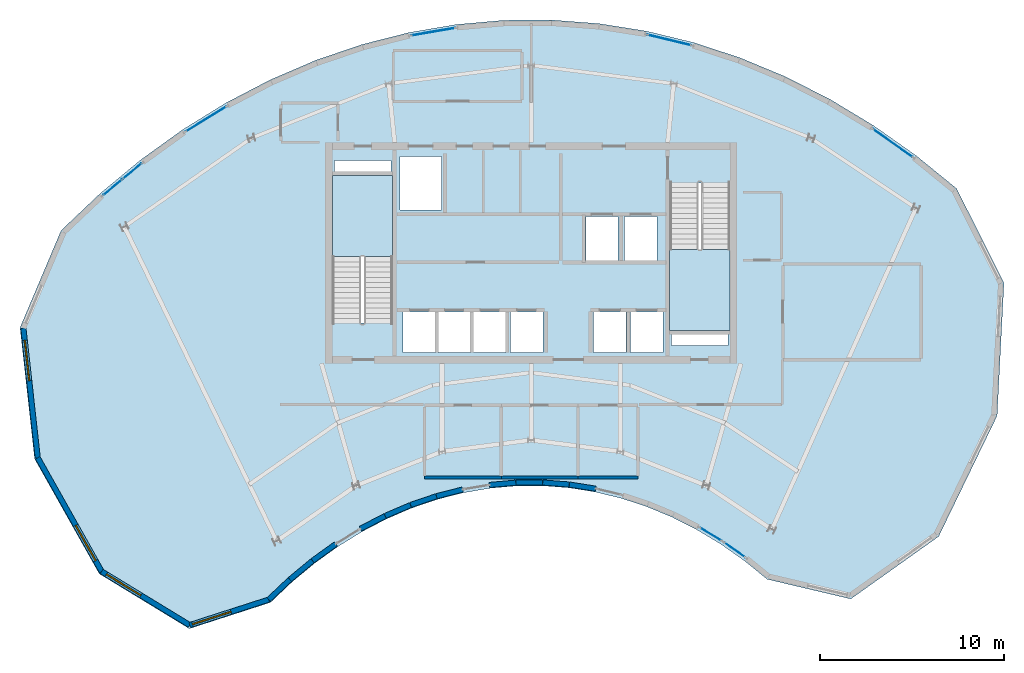
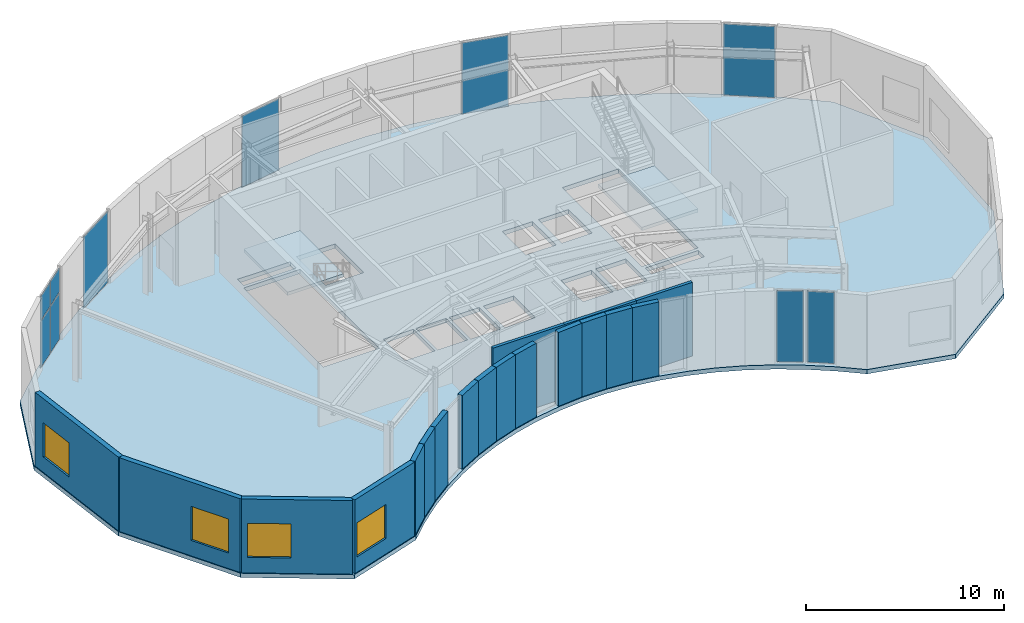
# One storey, part 5 of 10: 18 walls, 10 plates, 4 windows, 3 slabs, 4 openings, 9 elements without a shape of their own.
"""IFC4 building model written with IfcOpenShell, lengths in metres."""

import ifcopenshell
import ifcopenshell.guid

model = None  # the IFC model being written
_history = None  # IfcOwnerHistory: only IFC2X3 demands one
_inside = {}  # id of a spatial element -> (the spatial element, [elements in it])
_under = {}  # id of a project, library or spatial element -> (it, [spatial elements below it])
_declared = {}  # id of a project -> (the project, [libraries it declares])
_typed = {}  # id of a type object -> (the type object, [elements of that type])
_made_of = {}  # id of a material, layer set ... -> (it, [elements and type objects made of it])


def new_model(schema):
    """Start an empty IFC model of exactly this schema.

    Asked for "IFC4X3", IfcOpenShell would pick the latest addendum, in which some entities
    have other attributes; the version numbers below select the first issue.
    IFC2X3 requires an IfcOwnerHistory on every rooted entity: one is made here for all.
    """
    global model, _history
    if schema == "IFC4X3":
        model = ifcopenshell.file(schema_version=(4, 3, 0, 0))
    else:
        model = ifcopenshell.file(schema=schema)
    _inside.clear()
    _under.clear()
    _declared.clear()
    _typed.clear()
    _made_of.clear()
    _history = None
    if model.schema == "IFC2X3":
        org = make("IfcOrganization", Name="unknown")
        user = make(
            "IfcPersonAndOrganization",
            ThePerson=make("IfcPerson", FamilyName="unknown"),
            TheOrganization=org,
        )
        app = make(
            "IfcApplication",
            ApplicationDeveloper=org,
            Version="unknown",
            ApplicationFullName="unknown",
            ApplicationIdentifier="unknown",
        )
        _history = make(
            "IfcOwnerHistory",
            OwningUser=user,
            OwningApplication=app,
            ChangeAction="ADDED",
            CreationDate=0,
        )
    return model


def make(cls, **values):
    """One entity of the class cls with the attributes given. An attribute that is None is left unset."""
    return model.create_entity(
        cls, **{name: value for name, value in values.items() if value is not None}
    )


def rooted(cls, **values):
    """An entity with a GlobalId (a new one), such as an element, a storey or a relation."""
    return make(cls, GlobalId=ifcopenshell.guid.new(), OwnerHistory=_history, **values)


def si_unit(unit_type, name, prefix=None):
    """IfcSIUnit, for example si_unit("LENGTHUNIT", "METRE", prefix="MILLI")."""
    return make("IfcSIUnit", UnitType=unit_type, Prefix=prefix, Name=name)


def assignment(units):
    """IfcUnitAssignment: the units of a project."""
    return None if units is None else make("IfcUnitAssignment", Units=units)


def point(xyz):
    """IfcCartesianPoint."""
    return None if xyz is None else make("IfcCartesianPoint", Coordinates=xyz)


def direction(xyz):
    """IfcDirection."""
    return None if xyz is None else make("IfcDirection", DirectionRatios=xyz)


def frame(location, z_axis=None, x_axis=None):
    """IfcAxis2Placement3D, a coordinate frame: its origin and axes. An axis left out is left unset."""
    return make(
        "IfcAxis2Placement3D",
        Location=point(location),
        Axis=direction(z_axis),
        RefDirection=direction(x_axis),
    )


def frame_2d(location, x_axis=None):
    """IfcAxis2Placement2D, a coordinate frame in the plane: its origin and x axis."""
    return make(
        "IfcAxis2Placement2D", Location=point(location), RefDirection=direction(x_axis)
    )


def origin():
    """The frame at (0, 0, 0) with its axes left unset."""
    return frame((0.0, 0.0, 0.0))


def origin_2d():
    """The frame at (0, 0) in the plane with its x axis left unset."""
    return frame_2d((0.0, 0.0))


def place(relative_to, where):
    """IfcLocalPlacement: puts the frame where relative to a parent placement (None: the world)."""
    return make(
        "IfcLocalPlacement", PlacementRelTo=relative_to, RelativePlacement=where
    )


def context(
    kind, dimensions, precision=None, world=None, true_north=None, identifier=None
):
    """IfcGeometricRepresentationContext, for example the 3D "Model" context."""
    return make(
        "IfcGeometricRepresentationContext",
        ContextIdentifier=identifier,
        ContextType=kind,
        CoordinateSpaceDimension=dimensions,
        Precision=precision,
        WorldCoordinateSystem=world,
        TrueNorth=true_north,
    )


def subcontext(parent, identifier, kind, view, scale=None):
    """IfcGeometricRepresentationSubContext, for example "Body" below "Model"."""
    return make(
        "IfcGeometricRepresentationSubContext",
        ContextIdentifier=identifier,
        ContextType=kind,
        ParentContext=parent,
        TargetScale=scale,
        TargetView=view,
    )


def project(units=None, contexts=None):
    """IfcProject with its units and contexts."""
    return rooted(
        "IfcProject",
        Name="project",
        RepresentationContexts=contexts,
        UnitsInContext=assignment(units),
    )


def spatial(cls, under=None, at=None, **own):
    """A site, building, storey or space (cls), placed at a placement, below another one or the project."""
    s = rooted(cls, ObjectPlacement=at, **own)
    if under is not None:
        _under.setdefault(under.id(), (under, []))[1].append(s)
    return s


def polyline(points):
    """IfcPolyline through the points."""
    return make("IfcPolyline", Points=[point(p) for p in points])


def profile(cls, at=None, kind="AREA", **sizes):
    """A parametric profile (cls). Its sizes go by their IFC names, for example OverallWidth=200.0."""
    return make(cls, ProfileType=kind, Position=at, **sizes)


def rectangle(**sizes):
    """IfcRectangleProfileDef."""
    return profile("IfcRectangleProfileDef", **sizes)


def outline(outer, holes=None, kind="AREA"):
    """IfcArbitraryClosedProfileDef: a profile drawn as a closed curve; with holes, ...WithVoids."""
    if holes is None:
        return make("IfcArbitraryClosedProfileDef", ProfileType=kind, OuterCurve=outer)
    return make(
        "IfcArbitraryProfileDefWithVoids",
        ProfileType=kind,
        OuterCurve=outer,
        InnerCurves=holes,
    )


def extrude(swept, where, along, depth):
    """IfcExtrudedAreaSolid: the profile swept, set in the frame where, extruded along a direction by depth."""
    return make(
        "IfcExtrudedAreaSolid",
        SweptArea=swept,
        Position=where,
        ExtrudedDirection=direction(along),
        Depth=depth,
    )


def shape(context_of_items, identifier, shape_type, items):
    """IfcShapeRepresentation: the items that make up one representation, for example the "Body"."""
    return make(
        "IfcShapeRepresentation",
        ContextOfItems=context_of_items,
        RepresentationIdentifier=identifier,
        RepresentationType=shape_type,
        Items=items,
    )


def source(mapping_origin, context_of_items, identifier, shape_type, items):
    """IfcRepresentationMap: a shape defined once, which mapped items show again and again."""
    return make(
        "IfcRepresentationMap",
        MappingOrigin=mapping_origin,
        MappedRepresentation=shape(context_of_items, identifier, shape_type, items),
    )


def transform(
    local_origin,
    x_axis=None,
    y_axis=None,
    z_axis=None,
    scale=None,
    scale2=None,
    scale3=None,
    uniform=True,
):
    """IfcCartesianTransformationOperator3D, or its non-uniform kind. x_axis, y_axis, z_axis: its Axis1, 2, 3."""
    if uniform:
        return make(
            "IfcCartesianTransformationOperator3D",
            Axis1=direction(x_axis),
            Axis2=direction(y_axis),
            LocalOrigin=point(local_origin),
            Scale=scale,
            Axis3=direction(z_axis),
        )
    return make(
        "IfcCartesianTransformationOperator3DnonUniform",
        Axis1=direction(x_axis),
        Axis2=direction(y_axis),
        LocalOrigin=point(local_origin),
        Scale=scale,
        Axis3=direction(z_axis),
        Scale2=scale2,
        Scale3=scale3,
    )


def mapped(mapping_source, mapping_target):
    """IfcMappedItem: shows the shape of a source again, moved by a transform."""
    return make(
        "IfcMappedItem", MappingSource=mapping_source, MappingTarget=mapping_target
    )


def material(Name=None, Category=None):
    """IfcMaterial."""
    return make("IfcMaterial", Name=Name, Category=Category)


def layer(
    of_material, thickness, ventilated=None, Name=None, Category=None, Priority=None
):
    """IfcMaterialLayer: one layer of a wall or slab, of a material (None: an air gap)."""
    return make(
        "IfcMaterialLayer",
        Material=of_material,
        LayerThickness=thickness,
        IsVentilated=ventilated,
        Name=Name,
        Category=Category,
        Priority=Priority,
    )


def layer_set(layers, Name=None):
    """IfcMaterialLayerSet."""
    return make("IfcMaterialLayerSet", MaterialLayers=layers, LayerSetName=Name)


def made_of(thing, what):
    """Note that an element or type object is made of a material, layer set ...; save() writes the relation."""
    if what is not None:
        _made_of.setdefault(what.id(), (what, []))[1].append(thing)
    return thing


def type_object(cls, material=None, **own):
    """A type object (cls), such as IfcWallType, which elements share."""
    return made_of(rooted(cls, **own), material)


def type_shapes(of_type, sources):
    """Give a type object the sources (RepresentationMaps) that its elements show as mapped items."""
    of_type.RepresentationMaps = sources


def element(
    cls,
    number,
    at=None,
    inside=None,
    cuts=None,
    type_object=None,
    material=None,
    context=None,
    identifier="Body",
    shape_type=None,
    held_by="IfcProductDefinitionShape",
    body=None,
    shapes=None,
    **own,
):
    """One element of the class cls, such as IfcWall. Its Tag is "e" and its number.

    at: its placement. inside: the storey or other place that contains it. cuts: it is an
    opening in that element (IfcRelVoidsElement). A single representation is given by context,
    identifier, shape_type and body (its items); several are given by shapes. held_by: the class
    of the entity that holds the representations. save() writes the other relations.
    """
    e = rooted(cls, Tag="e%d" % number, ObjectPlacement=at, **own)
    if body is not None:
        shapes = [shape(context, identifier, shape_type, body)]
    if shapes is not None:
        e.Representation = make(held_by, Representations=shapes)
    if inside is not None:
        _inside.setdefault(inside.id(), (inside, []))[1].append(e)
    if cuts is not None:
        rooted(
            "IfcRelVoidsElement", RelatingBuildingElement=cuts, RelatedOpeningElement=e
        )
    if type_object is not None:
        _typed.setdefault(type_object.id(), (type_object, []))[1].append(e)
    return made_of(e, material)


def fill(opening, filler):
    """IfcRelFillsElement: the door or window that sits in an opening."""
    return rooted(
        "IfcRelFillsElement",
        RelatingOpeningElement=opening,
        RelatedBuildingElement=filler,
    )


def aggregate(whole, parts):
    """IfcRelAggregates: a whole, such as a stair, and the parts it consists of."""
    return rooted("IfcRelAggregates", RelatingObject=whole, RelatedObjects=parts)


def save(model, path):
    """Write the relations noted so far, then the file.

    IfcRelAggregates (storeys below a building ...), IfcRelContainedInSpatialStructure (elements
    in a storey), IfcRelDefinesByType, IfcRelAssociatesMaterial and IfcRelDeclares: one each for
    every whole, place, type object, material and project.
    """
    for whole, parts in _under.values():
        aggregate(whole, parts)
    for where, things in _inside.values():
        rooted(
            "IfcRelContainedInSpatialStructure",
            RelatedElements=things,
            RelatingStructure=where,
        )
    for kind, things in _typed.values():
        rooted("IfcRelDefinesByType", RelatedObjects=things, RelatingType=kind)
    for what, things in _made_of.values():
        rooted("IfcRelAssociatesMaterial", RelatedObjects=things, RelatingMaterial=what)
    for by, libraries in _declared.values():
        rooted("IfcRelDeclares", RelatingContext=by, RelatedDefinitions=libraries)
    model.write(path)


model = new_model("IFC4")

# Units and contexts
model_context = context("Model", 3, precision=1e-05, world=origin(), true_north=direction((0.0, 1.0)))
body_context = subcontext(model_context, "Body", "Model", "MODEL_VIEW")
ifc_project = project(units=[si_unit("LENGTHUNIT", "METRE"), si_unit("AREAUNIT", "SQUARE_METRE"), si_unit("VOLUMEUNIT", "CUBIC_METRE"), si_unit("PLANEANGLEUNIT", "RADIAN"), si_unit("MASSUNIT", "GRAM", prefix="KILO")], contexts=[model_context])

# Site, building, storey
site_placement = place(None, origin())
site = spatial("IfcSite", under=ifc_project, at=site_placement, CompositionType="ELEMENT")
building_placement = place(site_placement, origin())
building = spatial("IfcBuilding", under=site, at=building_placement, Name="Breltana Convention Tower", CompositionType="ELEMENT")
storey_placement = place(building_placement, frame((0.0, 0.0, 303.0)))
storey = spatial("IfcBuildingStorey", under=building, at=storey_placement, Name="L74", CompositionType="ELEMENT", Elevation=303.0)

# Stair, slab
ifc_material_1 = material(Name="Concrete C40/50", Category="concrete")
stair_type = type_object("IfcStairType", Name="ST-DOG-1560-R171", PredefinedType="HALF_TURN_STAIR", material=ifc_material_1)
stair_1_placement = place(storey_placement, origin())
stair_1 = element("IfcStair", 1, at=stair_1_placement, inside=storey, type_object=stair_type, Name="L74 Protected Core Exit Stair ST-1", PredefinedType="HALF_TURN_STAIR")
ifc_layer_1 = layer(ifc_material_1, 0.199951171875, Name="Concrete C40/50")
ifc_layer_set_1 = layer_set([ifc_layer_1], Name="Concrete C40/50")
slab_type_1 = type_object("IfcSlabType", Name="SL-STAIR-LANDING-200", PredefinedType="LANDING", material=ifc_layer_set_1)
slab_1_placement = place(storey_placement, frame((0.0, 0.0, 2.199951171875)))
slab_1 = element("IfcSlab", 2, at=slab_1_placement, type_object=slab_type_1, Name="ST-1 landing 1", PredefinedType="LANDING", context=body_context, shape_type="SweptSolid", body=[
    extrude(outline(polyline([(40.469970703125, 66.0), (40.469970703125, 70.39990234375), (37.199951171875, 70.39990234375), (37.199951171875, 66.0), (40.469970703125, 66.0)])), origin(), (0.0, 0.0, 1.0), 0.199951171875),
])
aggregate(stair_1, [slab_1])

stair_2_placement = place(storey_placement, origin())
stair_2 = element("IfcStair", 3, at=stair_2_placement, inside=storey, type_object=stair_type, Name="L74 Protected Core Exit Stair ST-2", PredefinedType="HALF_TURN_STAIR")
slab_2_placement = place(storey_placement, frame((0.0, 0.0, 2.199951171875)))
slab_2 = element("IfcSlab", 4, at=slab_2_placement, type_object=slab_type_1, Name="ST-2 landing 1", PredefinedType="LANDING", context=body_context, shape_type="SweptSolid", body=[
    extrude(outline(polyline([(55.530029296875, 66.39990234375), (55.530029296875, 62.0), (58.800048828125, 62.0), (58.800048828125, 66.39990234375), (55.530029296875, 66.39990234375)])), origin(), (0.0, 0.0, 1.0), 0.199951171875),
])
aggregate(stair_2, [slab_2])

# Slab
ifc_layer_2 = layer(ifc_material_1, 0.260009765625, Name="Concrete C40/50")
ifc_layer_set_2 = layer_set([ifc_layer_2], Name="Concrete C40/50")
slab_type_2 = type_object("IfcSlabType", Name="SL-UPP-260", PredefinedType="FLOOR", material=ifc_layer_set_2)
slab_3_placement = place(storey_placement, frame((0.0, 0.0, -0.260009765625)))
element("IfcSlab", 5, at=slab_3_placement, inside=storey, type_object=slab_type_2, Name="L74 Suspended Structural Floor Slab", PredefinedType="FLOOR", context=body_context, shape_type="SweptSolid", body=[
    extrude(outline(polyline([(71.119873046875, 69.7060546875), (68.9033203125, 71.50830078125), (66.60888671875, 73.126220703125), (64.244873046875, 74.552978515625), (61.8203125, 75.783935546875), (59.34423828125, 76.814208984375), (56.825927734375, 77.639892578125), (54.2744140625, 78.25830078125), (51.69970703125, 78.66650390625), (49.111083984375, 78.863525390625), (46.5185546875, 78.848388671875), (43.931396484375, 78.62109375), (41.359375, 78.1826171875), (38.81201171875, 77.53466796875), (36.29931640625, 76.679443359375), (33.829833984375, 75.620361328125), (31.41357421875, 74.361083984375), (29.058837890625, 72.906494140625), (26.77490234375, 71.26220703125), (24.5703125, 69.433837890625), (22.452880859375, 67.4287109375), (20.216796875, 62.142578125), (21.007080078125, 55.0126953125), (24.52197265625, 48.762451171875), (29.418701171875, 45.779296875), (33.827392578125, 47.202392578125), (35.001953125, 48.31494140625), (36.22509765625, 49.3291015625), (37.491943359375, 50.241455078125), (38.79833984375, 51.04833984375), (40.138916015625, 51.746826171875), (41.5087890625, 52.33447265625), (42.90283203125, 52.80908203125), (44.31591796875, 53.16845703125), (45.742919921875, 53.41162109375), (47.177978515625, 53.537841796875), (48.616455078125, 53.546142578125), (50.052490234375, 53.43701171875), (51.48095703125, 53.21044921875), (52.896240234375, 52.867431640625), (54.29345703125, 52.4091796875), (55.6669921875, 51.837646484375), (57.01220703125, 51.15478515625), (58.323486328125, 50.36328125), (59.5966796875, 49.4658203125), (60.826171875, 48.4658203125), (65.370849609375, 47.394775390625), (70.1455078125, 50.789306640625), (73.326416015625, 57.352783203125), (73.698486328125, 64.57861328125), (71.119873046875, 69.7060546875)]), holes=[polyline([(37.199951171875, 62.385009765625), (40.469970703125, 62.385009765625), (40.469970703125, 70.39990234375), (37.199951171875, 70.39990234375), (37.199951171875, 62.385009765625)]), polyline([(55.530029296875, 62.0), (58.800048828125, 62.0), (58.800048828125, 70.014892578125), (55.530029296875, 70.014892578125), (55.530029296875, 62.0)]), polyline([(41.0400390625, 60.800048828125), (42.800048828125, 60.800048828125), (42.800048828125, 62.97998046875), (41.0400390625, 62.97998046875), (41.0400390625, 60.800048828125)]), polyline([(42.93994140625, 60.800048828125), (44.699951171875, 60.800048828125), (44.699951171875, 62.97998046875), (42.93994140625, 62.97998046875), (42.93994140625, 60.800048828125)]), polyline([(44.8701171875, 60.800048828125), (46.6298828125, 60.800048828125), (46.6298828125, 62.97998046875), (44.8701171875, 62.97998046875), (44.8701171875, 60.800048828125)]), polyline([(46.8701171875, 60.800048828125), (48.6298828125, 60.800048828125), (48.6298828125, 62.97998046875), (46.8701171875, 62.97998046875), (46.8701171875, 60.800048828125)]), polyline([(51.39990234375, 60.800048828125), (53.159912109375, 60.800048828125), (53.159912109375, 62.97998046875), (51.39990234375, 62.97998046875), (51.39990234375, 60.800048828125)]), polyline([(53.39990234375, 60.800048828125), (55.159912109375, 60.800048828125), (55.159912109375, 62.97998046875), (53.39990234375, 62.97998046875), (53.39990234375, 60.800048828125)]), polyline([(50.969970703125, 65.800048828125), (52.72998046875, 65.800048828125), (52.72998046875, 68.179931640625), (50.969970703125, 68.179931640625), (50.969970703125, 65.800048828125)]), polyline([(53.070068359375, 65.800048828125), (54.830078125, 65.800048828125), (54.830078125, 68.179931640625), (53.070068359375, 68.179931640625), (53.070068359375, 65.800048828125)]), polyline([(40.8798828125, 68.550048828125), (43.1201171875, 68.550048828125), (43.1201171875, 71.449951171875), (40.8798828125, 71.449951171875), (40.8798828125, 68.550048828125)]), polyline([(37.300048828125, 70.60009765625), (40.3798828125, 70.60009765625), (40.3798828125, 71.219970703125), (37.300048828125, 71.219970703125), (37.300048828125, 70.60009765625)]), polyline([(55.6201171875, 61.179931640625), (58.699951171875, 61.179931640625), (58.699951171875, 61.800048828125), (55.6201171875, 61.800048828125), (55.6201171875, 61.179931640625)])]), origin(), (0.0, 0.0, 1.0), 0.260009765625),
])

# Curtain wall, plate
ifc_material_2 = material(Name="Aluminium Anodised Bronze Frame", Category="aluminium")
ifc_layer_3 = layer(ifc_material_2, 0.18994140625, Name="Aluminium Anodised Bronze Frame")
ifc_layer_set_3 = layer_set([ifc_layer_3], Name="Aluminium Anodised Bronze Frame")
curtain_wall_type_1 = type_object("IfcCurtainWallType", Name="CW-SYS-1", PredefinedType="NOTDEFINED", material=ifc_layer_set_3)
curtain_wall_1_placement = place(storey_placement, origin())
curtain_wall_1 = element("IfcCurtainWall", 6, at=curtain_wall_1_placement, inside=storey, type_object=curtain_wall_type_1, Name="L74 inner south-court glazing 1", PredefinedType="NOTDEFINED")
ifc_material_3 = material(Name="Glass Low-E Double Glazing", Category="glass")
ifc_layer_4 = layer(ifc_material_3, 0.028076171875, Name="Glass Low-E Double Glazing")
ifc_layer_set_4 = layer_set([ifc_layer_4], Name="Glass Low-E Double Glazing")
plate_type_1 = type_object("IfcPlateType", Name="CWP-IGU-28", PredefinedType="CURTAIN_PANEL", material=ifc_layer_set_4)
shared_shape_1 = source(origin(), body_context, "Body", "SweptSolid", [
    extrude(rectangle(XDim=1.3974609375, YDim=0.028076171875, at=origin_2d()), origin(), (0.0, 0.0, 1.0), 4.3798828125),
])
plate_1_placement = place(storey_placement, frame((59.063720703125, 50.0615234375, 0.080078125), z_axis=(0.0, 0.0, 1.0), x_axis=(-0.817327132857, 0.576173895534, 0.0)))
plate_1 = element("IfcPlate", 7, at=plate_1_placement, type_object=plate_type_1, Name="CW-01 panel 1.1", PredefinedType="CURTAIN_PANEL", context=body_context, shape_type="MappedRepresentation", body=[
    mapped(shared_shape_1, transform((0.0, 0.0, 0.0), scale=1.0)),
])
aggregate(curtain_wall_1, [plate_1])

curtain_wall_2_placement = place(storey_placement, origin())
curtain_wall_2 = element("IfcCurtainWall", 8, at=curtain_wall_2_placement, inside=storey, type_object=curtain_wall_type_1, Name="L74 inner south-court glazing 2", PredefinedType="NOTDEFINED")
shared_shape_2 = source(origin(), body_context, "Body", "SweptSolid", [
    extrude(rectangle(XDim=1.371826171875, YDim=0.028076171875, at=origin_2d()), origin(), (0.0, 0.0, 1.0), 4.3798828125),
])
plate_2_placement = place(storey_placement, frame((57.760986328125, 50.9130859375, 0.080078125), z_axis=(0.0, 0.0, 1.0), x_axis=(-0.856090059164, 0.516826673654, 0.0)))
plate_2 = element("IfcPlate", 9, at=plate_2_placement, type_object=plate_type_1, Name="CW-01 panel 1.1", PredefinedType="CURTAIN_PANEL", context=body_context, shape_type="MappedRepresentation", body=[
    mapped(shared_shape_2, transform((0.0, 0.0, 0.0), scale=1.0)),
])
aggregate(curtain_wall_2, [plate_2])

# Curtain wall, plates
ifc_layer_5 = layer(ifc_material_2, 0.239990234375, Name="Aluminium Anodised Bronze Frame")
ifc_layer_set_5 = layer_set([ifc_layer_5], Name="Aluminium Anodised Bronze Frame")
curtain_wall_type_2 = type_object("IfcCurtainWallType", Name="CW-SYS-6", PredefinedType="NOTDEFINED", material=ifc_layer_set_5)
curtain_wall_3_placement = place(storey_placement, origin())
curtain_wall_3 = element("IfcCurtainWall", 10, at=curtain_wall_3_placement, inside=storey, type_object=curtain_wall_type_2, Name="L74 outer double-skin inner glazing 1", PredefinedType="NOTDEFINED")
ifc_layer_6 = layer(ifc_material_3, 0.035888671875, Name="Glass Low-E Double Glazing")
ifc_layer_set_6 = layer_set([ifc_layer_6], Name="Glass Low-E Double Glazing")
plate_type_2 = type_object("IfcPlateType", Name="CWP-IGU-36", PredefinedType="CURTAIN_PANEL", material=ifc_layer_set_6)
shared_shape_3 = source(origin(), body_context, "Body", "SweptSolid", [
    extrude(rectangle(XDim=1.305908203125, YDim=0.035888671875, at=origin_2d()), origin(), (0.0, 0.0, 1.0), 2.8310546875),
])
plate_3_placement = place(storey_placement, frame((25.254150390625, 69.76708984375, 0.080078125), z_axis=(0.0, 0.0, 1.0), x_axis=(0.76977098678, 0.638320160979, 0.0)))
plate_3 = element("IfcPlate", 11, at=plate_3_placement, type_object=plate_type_2, Name="CW-06 panel 1.1", PredefinedType="CURTAIN_PANEL", context=body_context, shape_type="MappedRepresentation", body=[
    mapped(shared_shape_3, transform((0.0, 0.0, 0.0), scale=1.0)),
])
plate_4_placement = place(storey_placement, frame((26.321044921875, 70.651611328125, 0.080078125), z_axis=(0.0, 0.0, 1.0), x_axis=(0.76977098678, 0.638320160979, 0.0)))
plate_4 = element("IfcPlate", 12, at=plate_4_placement, type_object=plate_type_2, Name="CW-06 panel 2.1", PredefinedType="CURTAIN_PANEL", context=body_context, shape_type="MappedRepresentation", body=[
    mapped(shared_shape_3, transform((0.0, 0.0, 0.0), scale=1.0)),
])
shared_shape_4 = source(origin(), body_context, "Body", "SweptSolid", [
    extrude(rectangle(XDim=1.305908203125, YDim=0.035888671875, at=origin_2d()), origin(), (0.0, 0.0, 1.0), 1.468994140625),
])
plate_5_placement = place(storey_placement, frame((25.254150390625, 69.76708984375, 2.9912109375), z_axis=(0.0, 0.0, 1.0), x_axis=(0.76977098678, 0.638320160979, 0.0)))
plate_5 = element("IfcPlate", 13, at=plate_5_placement, type_object=plate_type_2, Name="CW-06 panel 1.2", PredefinedType="CURTAIN_PANEL", context=body_context, shape_type="MappedRepresentation", body=[
    mapped(shared_shape_4, transform((0.0, 0.0, 0.0), scale=1.0)),
])
plate_6_placement = place(storey_placement, frame((26.321044921875, 70.651611328125, 2.9912109375), z_axis=(0.0, 0.0, 1.0), x_axis=(0.76977098678, 0.638320160979, 0.0)))
plate_6 = element("IfcPlate", 14, at=plate_6_placement, type_object=plate_type_2, Name="CW-06 panel 2.2", PredefinedType="CURTAIN_PANEL", context=body_context, shape_type="MappedRepresentation", body=[
    mapped(shared_shape_4, transform((0.0, 0.0, 0.0), scale=1.0)),
])
aggregate(curtain_wall_3, [plate_3, plate_5, plate_4, plate_6])

# Curtain wall, plate
curtain_wall_4_placement = place(storey_placement, origin())
curtain_wall_4 = element("IfcCurtainWall", 15, at=curtain_wall_4_placement, inside=storey, type_object=curtain_wall_type_2, Name="L74 outer double-skin inner glazing 2", PredefinedType="NOTDEFINED")
shared_shape_5 = source(origin(), body_context, "Body", "SweptSolid", [
    extrude(rectangle(XDim=2.5947265625, YDim=0.035888671875, at=origin_2d()), origin(), (0.0, 0.0, 1.0), 4.3798828125),
])
plate_7_placement = place(storey_placement, frame((30.330810546875, 73.480712890625, 0.080078125), z_axis=(0.0, 0.0, 1.0), x_axis=(0.850768399946, 0.525540797325, 0.0)))
plate_7 = element("IfcPlate", 16, at=plate_7_placement, type_object=plate_type_2, Name="CW-06 panel 1.1", PredefinedType="CURTAIN_PANEL", context=body_context, shape_type="MappedRepresentation", body=[
    mapped(shared_shape_5, transform((0.0, 0.0, 0.0), scale=1.0)),
])
aggregate(curtain_wall_4, [plate_7])

curtain_wall_5_placement = place(storey_placement, origin())
curtain_wall_5 = element("IfcCurtainWall", 17, at=curtain_wall_5_placement, inside=storey, type_object=curtain_wall_type_2, Name="L74 outer double-skin inner glazing 3", PredefinedType="NOTDEFINED")
shared_shape_6 = source(origin(), body_context, "Body", "SweptSolid", [
    extrude(rectangle(XDim=2.434326171875, YDim=0.035888671875, at=origin_2d()), origin(), (0.0, 0.0, 1.0), 4.3798828125),
])
plate_8_placement = place(storey_placement, frame((42.675537109375, 78.224365234375, 0.080078125), z_axis=(0.0, 0.0, 1.0), x_axis=(0.985784110175, 0.168016928095, 0.0)))
plate_8 = element("IfcPlate", 18, at=plate_8_placement, type_object=plate_type_2, Name="CW-06 panel 1.1", PredefinedType="CURTAIN_PANEL", context=body_context, shape_type="MappedRepresentation", body=[
    mapped(shared_shape_6, transform((0.0, 0.0, 0.0), scale=1.0)),
])
aggregate(curtain_wall_5, [plate_8])

curtain_wall_6_placement = place(storey_placement, origin())
curtain_wall_6 = element("IfcCurtainWall", 19, at=curtain_wall_6_placement, inside=storey, type_object=curtain_wall_type_2, Name="L74 outer double-skin inner glazing 4", PredefinedType="NOTDEFINED")
shared_shape_7 = source(origin(), body_context, "Body", "SweptSolid", [
    extrude(rectangle(XDim=2.450927734375, YDim=0.035888671875, at=origin_2d()), origin(), (0.0, 0.0, 1.0), 4.3798828125),
])
plate_9_placement = place(storey_placement, frame((55.5078125, 77.774169921875, 0.080078125), z_axis=(0.0, 0.0, 1.0), x_axis=(0.971870033767, -0.235517807109, 0.0)))
plate_9 = element("IfcPlate", 20, at=plate_9_placement, type_object=plate_type_2, Name="CW-06 panel 1.1", PredefinedType="CURTAIN_PANEL", context=body_context, shape_type="MappedRepresentation", body=[
    mapped(shared_shape_7, transform((0.0, 0.0, 0.0), scale=1.0)),
])
aggregate(curtain_wall_6, [plate_9])

curtain_wall_7_placement = place(storey_placement, origin())
curtain_wall_7 = element("IfcCurtainWall", 21, at=curtain_wall_7_placement, inside=storey, type_object=curtain_wall_type_2, Name="L74 outer double-skin inner glazing 5", PredefinedType="NOTDEFINED")
shared_shape_8 = source(origin(), body_context, "Body", "SweptSolid", [
    extrude(rectangle(XDim=2.634765625, YDim=0.035888671875, at=origin_2d()), origin(), (0.0, 0.0, 1.0), 4.3798828125),
])
plate_10_placement = place(storey_placement, frame((67.652587890625, 72.170166015625, 0.080078125), z_axis=(0.0, 0.0, 1.0), x_axis=(0.817284057658, -0.576234994683, 0.0)))
plate_10 = element("IfcPlate", 22, at=plate_10_placement, type_object=plate_type_2, Name="CW-06 panel 1.1", PredefinedType="CURTAIN_PANEL", context=body_context, shape_type="MappedRepresentation", body=[
    mapped(shared_shape_8, transform((0.0, 0.0, 0.0), scale=1.0)),
])
aggregate(curtain_wall_7, [plate_10])

# Walls
ifc_material_4 = material(Name="Limestone Buff Insulated Wall", Category="masonry")
ifc_layer_7 = layer(ifc_material_4, 0.280029296875, Name="Limestone Buff Insulated Wall")
ifc_layer_set_7 = layer_set([ifc_layer_7], Name="Limestone Buff Insulated Wall")
wall_type_1 = type_object("IfcWallType", Name="WL-EXT-NOSE-280", PredefinedType="SOLIDWALL", material=ifc_layer_set_7)
shared_shape_9 = source(origin(), body_context, "Body", "SweptSolid", [
    extrude(rectangle(XDim=1.446044921875, YDim=0.280029296875, at=frame_2d((0.72314453125, 0.0))), origin(), (0.0, 0.0, 1.0), 4.5400390625),
])
wall_1_placement = place(storey_placement, frame((51.509033203125, 53.38818359375, 0.0), z_axis=(0.0, 0.0, 1.0), x_axis=(-0.987650460941, 0.156673440642, 0.0)))
element("IfcWall", 23, at=wall_1_placement, inside=storey, type_object=wall_type_1, Name="L74 curved limestone nose wall E10", PredefinedType="SOLIDWALL", context=body_context, shape_type="MappedRepresentation", body=[
    mapped(shared_shape_9, transform((0.0, 0.0, 0.0), scale=1.0)),
])
shared_shape_10 = source(origin(), body_context, "Body", "SweptSolid", [
    extrude(rectangle(XDim=1.440185546875, YDim=0.280029296875, at=frame_2d((0.72021484375, 0.0))), origin(), (0.0, 0.0, 1.0), 4.5400390625),
])
wall_2_placement = place(storey_placement, frame((50.066162109375, 53.616455078125, 0.0), z_axis=(0.0, 0.0, 1.0), x_axis=(-0.997124860794, 0.075776064736, 0.0)))
element("IfcWall", 24, at=wall_2_placement, inside=storey, type_object=wall_type_1, Name="L74 curved limestone nose wall E11", PredefinedType="SOLIDWALL", context=body_context, shape_type="MappedRepresentation", body=[
    mapped(shared_shape_10, transform((0.0, 0.0, 0.0), scale=1.0)),
])
shared_shape_11 = source(origin(), body_context, "Body", "SweptSolid", [
    extrude(rectangle(XDim=1.4384765625, YDim=0.280029296875, at=frame_2d((0.71923828125, 0.0))), origin(), (0.0, 0.0, 1.0), 4.5400390625),
])
wall_3_placement = place(storey_placement, frame((48.615478515625, 53.726318359375, 0.0), z_axis=(0.0, 0.0, 1.0), x_axis=(-0.999982357135, -0.005940153174, 0.0)))
element("IfcWall", 25, at=wall_3_placement, inside=storey, type_object=wall_type_1, Name="L74 curved limestone nose wall E12", PredefinedType="SOLIDWALL", context=body_context, shape_type="MappedRepresentation", body=[
    mapped(shared_shape_11, transform((0.0, 0.0, 0.0), scale=1.0)),
])
shared_shape_12 = source(origin(), body_context, "Body", "SweptSolid", [
    extrude(rectangle(XDim=1.44091796875, YDim=0.280029296875, at=frame_2d((0.720458984375, 0.0))), origin(), (0.0, 0.0, 1.0), 4.5400390625),
])
wall_4_placement = place(storey_placement, frame((47.162353515625, 53.717041015625, 0.0), z_axis=(0.0, 0.0, 1.0), x_axis=(-0.99617032352, -0.087433898101, 0.0)))
element("IfcWall", 26, at=wall_4_placement, inside=storey, type_object=wall_type_1, Name="L74 curved limestone nose wall E13", PredefinedType="SOLIDWALL", context=body_context, shape_type="MappedRepresentation", body=[
    mapped(shared_shape_12, transform((0.0, 0.0, 0.0), scale=1.0)),
])
shared_shape_13 = source(origin(), body_context, "Body", "SweptSolid", [
    extrude(rectangle(XDim=1.4580078125, YDim=0.280029296875, at=frame_2d((0.72900390625, 0.0))), origin(), (0.0, 0.0, 1.0), 4.5400390625),
])
wall_5_placement = place(storey_placement, frame((44.271484375, 53.343017578125, 0.0), z_axis=(0.0, 0.0, 1.0), x_axis=(-0.969109544438, -0.246630677083, 0.0)))
element("IfcWall", 27, at=wall_5_placement, inside=storey, type_object=wall_type_1, Name="L74 curved limestone nose wall E14", PredefinedType="SOLIDWALL", context=body_context, shape_type="MappedRepresentation", body=[
    mapped(shared_shape_13, transform((0.0, 0.0, 0.0), scale=1.0)),
])
shared_shape_14 = source(origin(), body_context, "Body", "SweptSolid", [
    extrude(rectangle(XDim=1.47265625, YDim=0.280029296875, at=frame_2d((0.736328125, 0.0))), origin(), (0.0, 0.0, 1.0), 4.5400390625),
])
wall_6_placement = place(storey_placement, frame((42.8447265625, 52.9794921875, 0.0), z_axis=(0.0, 0.0, 1.0), x_axis=(-0.946641296917, -0.322289086026, 0.0)))
element("IfcWall", 28, at=wall_6_placement, inside=storey, type_object=wall_type_1, Name="L74 curved limestone nose wall E15", PredefinedType="SOLIDWALL", context=body_context, shape_type="MappedRepresentation", body=[
    mapped(shared_shape_14, transform((0.0, 0.0, 0.0), scale=1.0)),
])
shared_shape_15 = source(origin(), body_context, "Body", "SweptSolid", [
    extrude(rectangle(XDim=1.490478515625, YDim=0.280029296875, at=frame_2d((0.7451171875, 0.0))), origin(), (0.0, 0.0, 1.0), 4.5400390625),
])
wall_7_placement = place(storey_placement, frame((41.437744140625, 52.5, 0.0), z_axis=(0.0, 0.0, 1.0), x_axis=(-0.919009427656, -0.394235553799, 0.0)))
element("IfcWall", 29, at=wall_7_placement, inside=storey, type_object=wall_type_1, Name="L74 curved limestone nose wall E16", PredefinedType="SOLIDWALL", context=body_context, shape_type="MappedRepresentation", body=[
    mapped(shared_shape_15, transform((0.0, 0.0, 0.0), scale=1.0)),
])
shared_shape_16 = source(origin(), body_context, "Body", "SweptSolid", [
    extrude(rectangle(XDim=1.51171875, YDim=0.280029296875, at=frame_2d((0.755859375, 0.0))), origin(), (0.0, 0.0, 1.0), 4.5400390625),
])
wall_8_placement = place(storey_placement, frame((40.0556640625, 51.906494140625, 0.0), z_axis=(0.0, 0.0, 1.0), x_axis=(-0.886841011195, -0.462074691865, 0.0)))
element("IfcWall", 30, at=wall_8_placement, inside=storey, type_object=wall_type_1, Name="L74 curved limestone nose wall E17", PredefinedType="SOLIDWALL", context=body_context, shape_type="MappedRepresentation", body=[
    mapped(shared_shape_16, transform((0.0, 0.0, 0.0), scale=1.0)),
])
shared_shape_17 = source(origin(), body_context, "Body", "SweptSolid", [
    extrude(rectangle(XDim=1.56103515625, YDim=0.280029296875, at=frame_2d((0.780517578125, 0.0))), origin(), (0.0, 0.0, 1.0), 4.5400390625),
])
wall_9_placement = place(storey_placement, frame((37.38671875, 50.387451171875, 0.0), z_axis=(0.0, 0.0, 1.0), x_axis=(-0.81154027425, -0.584296485758, 0.0)))
element("IfcWall", 31, at=wall_9_placement, inside=storey, type_object=wall_type_1, Name="L74 curved limestone nose wall E18", PredefinedType="SOLIDWALL", context=body_context, shape_type="MappedRepresentation", body=[
    mapped(shared_shape_17, transform((0.0, 0.0, 0.0), scale=1.0)),
])
shared_shape_18 = source(origin(), body_context, "Body", "SweptSolid", [
    extrude(rectangle(XDim=1.5888671875, YDim=0.280029296875, at=frame_2d((0.79443359375, 0.0))), origin(), (0.0, 0.0, 1.0), 4.5400390625),
])
wall_10_placement = place(storey_placement, frame((36.110107421875, 49.4677734375, 0.0), z_axis=(0.0, 0.0, 1.0), x_axis=(-0.769805836273, -0.63827813251, 0.0)))
element("IfcWall", 32, at=wall_10_placement, inside=storey, type_object=wall_type_1, Name="L74 curved limestone nose wall E19", PredefinedType="SOLIDWALL", context=body_context, shape_type="MappedRepresentation", body=[
    mapped(shared_shape_18, transform((0.0, 0.0, 0.0), scale=1.0)),
])
shared_shape_19 = source(origin(), body_context, "Body", "SweptSolid", [
    extrude(rectangle(XDim=1.576904296875, YDim=0.280029296875, at=frame_2d((0.78857421875, 0.0))), origin(), (0.0, 0.0, 1.0), 4.5400390625),
])
wall_11_placement = place(storey_placement, frame((34.878173828125, 48.445556640625, 0.0), z_axis=(0.0, 0.0, 1.0), x_axis=(-0.726119464467, -0.687568558998, 0.0)))
element("IfcWall", 33, at=wall_11_placement, inside=storey, type_object=wall_type_1, Name="L74 curved limestone nose wall W1", PredefinedType="SOLIDWALL", context=body_context, shape_type="MappedRepresentation", body=[
    mapped(shared_shape_19, transform((0.0, 0.0, 0.0), scale=1.0)),
])

# Wall, opening, window
shared_shape_20 = source(origin(), body_context, "Body", "SweptSolid", [
    extrude(rectangle(XDim=4.50927734375, YDim=0.280029296875, at=frame_2d((2.254638671875, 0.0))), origin(), (0.0, 0.0, 1.0), 4.5400390625),
])
wall_12_placement = place(storey_placement, frame((33.733154296875, 47.361328125, 0.0), z_axis=(0.0, 0.0, 1.0), x_axis=(-0.95162949292, -0.307247958828, 0.0)))
wall_12 = element("IfcWall", 34, at=wall_12_placement, inside=storey, type_object=wall_type_1, Name="L74 curved limestone nose wall W2", PredefinedType="SOLIDWALL", context=body_context, shape_type="MappedRepresentation", body=[
    mapped(shared_shape_20, transform((0.0, 0.0, 0.0), scale=1.0)),
])
opening_1_placement = place(wall_12_placement, frame((2.1494140625, 0.0, 0.949951171875)))
opening_1 = element("IfcOpeningElement", 35, at=opening_1_placement, cuts=wall_12, Name="Opening W-03", PredefinedType="OPENING", context=body_context, shape_type="SweptSolid", body=[
    extrude(rectangle(XDim=2.199951171875, YDim=2.10009765625, at=frame_2d((1.10009765625, 1.050048828125))), frame((0.0, 0.14990234375, 0.0), z_axis=(0.0, -1.0, 0.0), x_axis=(1.0, 0.0, 0.0)), (0.0, 0.0, 1.0), 0.300048828125),
])
ifc_material_5 = material(Name="Glass Low-E Insulated Window", Category="glass")
window_type = type_object("IfcWindowType", Name="WN-NOSE-2200X2100", PartitioningType="TRIPLE_PANEL_VERTICAL", PredefinedType="WINDOW", material=ifc_material_5)
shared_shape_21 = source(origin(), body_context, "Body", "SweptSolid", [
    extrude(rectangle(XDim=2.199951171875, YDim=2.10009765625, at=frame_2d((1.10009765625, 1.050048828125))), frame((0.0, 0.030029296875, 0.0), z_axis=(0.0, -1.0, 0.0), x_axis=(1.0, 0.0, 0.0)), (0.0, 0.0, 1.0), 0.06005859375),
])
type_shapes(window_type, [shared_shape_21])
window_1_placement = place(opening_1_placement, origin())
window_1 = element("IfcWindow", 36, at=window_1_placement, inside=storey, type_object=window_type, Name="L74 nose window W2", OverallHeight=2.10009765625, OverallWidth=2.199951171875, PartitioningType="TRIPLE_PANEL_VERTICAL", PredefinedType="WINDOW", context=body_context, shape_type="MappedRepresentation", body=[
    mapped(shared_shape_21, transform((0.0, 0.0, 0.0), scale=1.0)),
])
fill(opening_1, window_1)

shared_shape_22 = source(origin(), body_context, "Body", "SweptSolid", [
    extrude(rectangle(XDim=5.604248046875, YDim=0.280029296875, at=frame_2d((2.80224609375, 0.0))), origin(), (0.0, 0.0, 1.0), 4.5400390625),
])
wall_13_placement = place(storey_placement, frame((29.44189453125, 45.975830078125, 0.0), z_axis=(0.0, 0.0, 1.0), x_axis=(-0.854002492971, 0.520268913158, 0.0)))
wall_13 = element("IfcWall", 37, at=wall_13_placement, inside=storey, type_object=wall_type_1, Name="L74 curved limestone nose wall W3", PredefinedType="SOLIDWALL", context=body_context, shape_type="MappedRepresentation", body=[
    mapped(shared_shape_22, transform((0.0, 0.0, 0.0), scale=1.0)),
])
opening_2_placement = place(wall_13_placement, frame((3.103271484375, 0.0, 0.949951171875)))
opening_2 = element("IfcOpeningElement", 38, at=opening_2_placement, cuts=wall_13, Name="Opening W-03", PredefinedType="OPENING", context=body_context, shape_type="SweptSolid", body=[
    extrude(rectangle(XDim=2.199951171875, YDim=2.10009765625, at=frame_2d((1.10009765625, 1.050048828125))), frame((0.0, 0.14990234375, 0.0), z_axis=(0.0, -1.0, 0.0), x_axis=(1.0, 0.0, 0.0)), (0.0, 0.0, 1.0), 0.300048828125),
])
window_2_placement = place(opening_2_placement, origin())
window_2 = element("IfcWindow", 39, at=window_2_placement, inside=storey, type_object=window_type, Name="L74 nose window W3", OverallHeight=2.10009765625, OverallWidth=2.199951171875, PartitioningType="TRIPLE_PANEL_VERTICAL", PredefinedType="WINDOW", context=body_context, shape_type="MappedRepresentation", body=[
    mapped(shared_shape_21, transform((0.0, 0.0, 0.0), scale=1.0)),
])
fill(opening_2, window_2)

shared_shape_23 = source(origin(), body_context, "Body", "SweptSolid", [
    extrude(rectangle(XDim=7.087158203125, YDim=0.280029296875, at=frame_2d((3.54345703125, 0.0))), origin(), (0.0, 0.0, 1.0), 4.5400390625),
])
wall_14_placement = place(storey_placement, frame((24.65576171875, 48.8916015625, 0.0), z_axis=(0.0, 0.0, 1.0), x_axis=(-0.490158199368, 0.871633489256, 0.0)))
wall_14 = element("IfcWall", 40, at=wall_14_placement, inside=storey, type_object=wall_type_1, Name="L74 curved limestone nose wall W4", PredefinedType="SOLIDWALL", context=body_context, shape_type="MappedRepresentation", body=[
    mapped(shared_shape_23, transform((0.0, 0.0, 0.0), scale=1.0)),
])
opening_3_placement = place(wall_14_placement, frame((0.671875, 0.0, 0.949951171875)))
opening_3 = element("IfcOpeningElement", 41, at=opening_3_placement, cuts=wall_14, Name="Opening W-03", PredefinedType="OPENING", context=body_context, shape_type="SweptSolid", body=[
    extrude(rectangle(XDim=2.199951171875, YDim=2.10009765625, at=frame_2d((1.10009765625, 1.050048828125))), frame((0.0, 0.14990234375, 0.0), z_axis=(0.0, -1.0, 0.0), x_axis=(1.0, 0.0, 0.0)), (0.0, 0.0, 1.0), 0.300048828125),
])
window_3_placement = place(opening_3_placement, origin())
window_3 = element("IfcWindow", 42, at=window_3_placement, inside=storey, type_object=window_type, Name="L74 nose window W4", OverallHeight=2.10009765625, OverallWidth=2.199951171875, PartitioningType="TRIPLE_PANEL_VERTICAL", PredefinedType="WINDOW", context=body_context, shape_type="MappedRepresentation", body=[
    mapped(shared_shape_21, transform((0.0, 0.0, 0.0), scale=1.0)),
])
fill(opening_3, window_3)

shared_shape_24 = source(origin(), body_context, "Body", "SweptSolid", [
    extrude(rectangle(XDim=7.08984375, YDim=0.280029296875, at=frame_2d((3.544921875, 0.0))), origin(), (0.0, 0.0, 1.0), 4.5400390625),
])
wall_15_placement = place(storey_placement, frame((21.181884765625, 55.069091796875, 0.0), z_axis=(0.0, 0.0, 1.0), x_axis=(-0.110159396922, 0.993913933532, 0.0)))
wall_15 = element("IfcWall", 43, at=wall_15_placement, inside=storey, type_object=wall_type_1, Name="L74 curved limestone nose wall W5", PredefinedType="SOLIDWALL", context=body_context, shape_type="MappedRepresentation", body=[
    mapped(shared_shape_24, transform((0.0, 0.0, 0.0), scale=1.0)),
])
opening_4_placement = place(wall_15_placement, frame((4.21728515625, 0.0, 0.949951171875)))
opening_4 = element("IfcOpeningElement", 44, at=opening_4_placement, cuts=wall_15, Name="Opening W-03", PredefinedType="OPENING", context=body_context, shape_type="SweptSolid", body=[
    extrude(rectangle(XDim=2.199951171875, YDim=2.10009765625, at=frame_2d((1.10009765625, 1.050048828125))), frame((0.0, 0.14990234375, 0.0), z_axis=(0.0, -1.0, 0.0), x_axis=(1.0, 0.0, 0.0)), (0.0, 0.0, 1.0), 0.300048828125),
])
window_4_placement = place(opening_4_placement, origin())
window_4 = element("IfcWindow", 45, at=window_4_placement, inside=storey, type_object=window_type, Name="L74 nose window W5", OverallHeight=2.10009765625, OverallWidth=2.199951171875, PartitioningType="TRIPLE_PANEL_VERTICAL", PredefinedType="WINDOW", context=body_context, shape_type="MappedRepresentation", body=[
    mapped(shared_shape_21, transform((0.0, 0.0, 0.0), scale=1.0)),
])
fill(opening_4, window_4)

# Walls
ifc_material_6 = material(Name="Cement Board Wet-Area Partition")
ifc_layer_8 = layer(ifc_material_6, 0.175048828125, Name="Cement Board Wet-Area Partition")
ifc_layer_set_8 = layer_set([ifc_layer_8], Name="Cement Board Wet-Area Partition")
wall_type_2 = type_object("IfcWallType", Name="WL-WET-175", PredefinedType="PARTITIONING", material=ifc_layer_set_8)
shared_shape_25 = source(origin(), body_context, "Body", "SweptSolid", [
    extrude(rectangle(XDim=4.176025390625, YDim=0.175048828125, at=frame_2d((2.087890625, 0.0))), origin(), (0.0, 0.0, 1.0), 4.5400390625),
])
for number, where, z_axis, x_axis, name in (
    (46, (42.199951171875, 54.0, 0.0), (0.0, 0.0, 1.0), (1.0, 0.0, 0.0), "L74 interior partition W-L74-WCM-S"),
    (47, (46.3759765625, 54.0, 0.0), (0.0, 0.0, 1.0), (1.0, 0.0, 0.0), "L74 interior partition W-L74-WCF-S"),
):
    element("IfcWall", number, at=place(storey_placement, frame(where, z_axis=z_axis, x_axis=x_axis)), inside=storey, type_object=wall_type_2, Name=name, PredefinedType="PARTITIONING", context=body_context, shape_type="MappedRepresentation", body=[
        mapped(shared_shape_25, transform((0.0, 0.0, 0.0), scale=1.0)),
    ])
shared_shape_26 = source(origin(), body_context, "Body", "SweptSolid", [
    extrude(rectangle(XDim=3.248046875, YDim=0.175048828125, at=frame_2d((1.6240234375, 0.0))), origin(), (0.0, 0.0, 1.0), 4.5400390625),
])
wall_16_placement = place(storey_placement, frame((50.552001953125, 54.0, 0.0), z_axis=(0.0, 0.0, 1.0), x_axis=(1.0, 0.0, 0.0)))
element("IfcWall", 48, at=wall_16_placement, inside=storey, type_object=wall_type_2, Name="L74 interior partition W-L74-WCA-S", PredefinedType="PARTITIONING", context=body_context, shape_type="MappedRepresentation", body=[
    mapped(shared_shape_26, transform((0.0, 0.0, 0.0), scale=1.0)),
])

save(model, "model.ifc")
